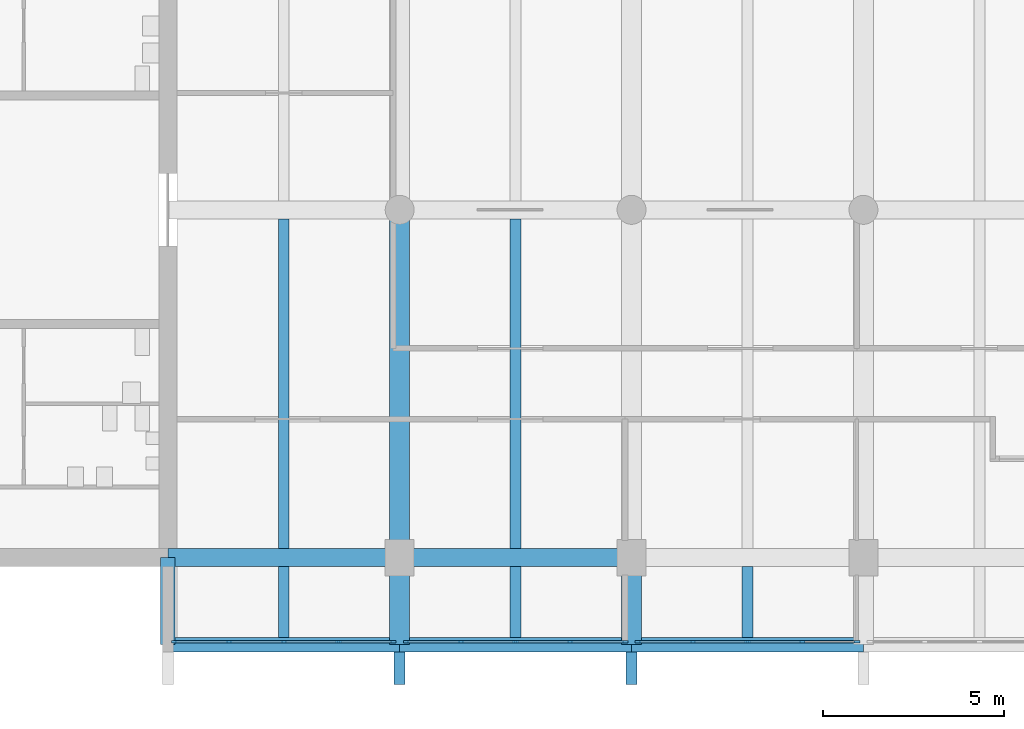
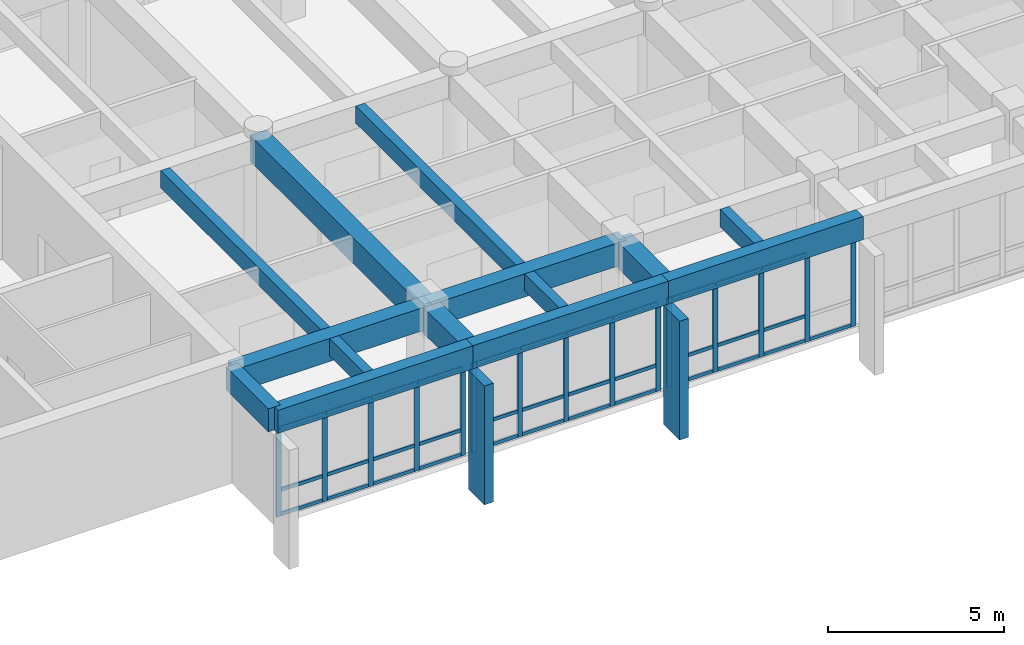
# One storey, part 2 of 15: 51 members, 14 beams, 3 elements without a shape of their own.
"""IFC4 building model written with IfcOpenShell, lengths in metres."""

from ifc_helpers import new_model, si_unit, direction, frame, origin, origin_2d, place, context, subcontext, project, spatial, rectangle, extrude, material, layer, layer_set, material_profile, profile_set, type_object, element, aggregate, save


model = new_model("IFC4")

# Units and contexts
model_context = context("Model", 3, precision=1e-05, world=origin(), true_north=direction((0.0, 1.0)))
body_context = subcontext(model_context, "Body", "Model", "MODEL_VIEW")
ifc_project = project(units=[si_unit("LENGTHUNIT", "METRE"), si_unit("AREAUNIT", "SQUARE_METRE"), si_unit("VOLUMEUNIT", "CUBIC_METRE"), si_unit("PLANEANGLEUNIT", "RADIAN"), si_unit("MASSUNIT", "GRAM", prefix="KILO")], contexts=[model_context])

# Site, building, storey
site_placement = place(None, origin())
site = spatial("IfcSite", under=ifc_project, at=site_placement, CompositionType="ELEMENT")
building_placement = place(site_placement, origin())
building = spatial("IfcBuilding", under=site, at=building_placement, Name="Fogon Plaza Fire Station and Headquarters Tower", CompositionType="ELEMENT")
storey_placement = place(building_placement, frame((0.0, 0.0, 60.0)))
storey = spatial("IfcBuildingStorey", under=building, at=storey_placement, Name="L15", CompositionType="ELEMENT", Elevation=60.0)

# Beams
ifc_material_1 = material(Name="Concrete C40", Category="concrete")
ifc_material_profile_1 = material_profile(ifc_material_1, rectangle(XDim=0.39990234375, YDim=0.800048828125, at=origin_2d()), Name="RC 400x800")
ifc_profile_set_1 = profile_set([ifc_material_profile_1], Name="Concrete C40")
beam_type_1 = type_object("IfcBeamType", Name="BEAM RC 400x800", PredefinedType="BEAM", material=ifc_profile_set_1)
for number, where, z_axis, x_axis, name in (
    (1, (25.60009765625, 31.199951171875, 3.5), (1.0, 0.0, 0.0), (0.0, 1.0, 0.0), "beam-L15-039"),
    (2, (32.0, 31.199951171875, 3.5), (1.0, 0.0, 0.0), (0.0, 1.0, 0.0), "beam-L15-040"),
):
    element("IfcBeam", number, at=place(storey_placement, frame(where, z_axis=z_axis, x_axis=x_axis)), inside=storey, type_object=beam_type_1, Name=name, PredefinedType="BEAM", context=body_context, shape_type="SweptSolid", body=[
        extrude(rectangle(XDim=0.39990234375, YDim=0.800048828125, at=origin_2d()), origin(), (0.0, 0.0, 1.0), 6.39990234375),
    ])
beam_1_placement = place(storey_placement, frame((38.39990234375, 31.199951171875, 3.5), z_axis=(1.0, 0.0, 0.0), x_axis=(0.0, 1.0, 0.0)))
element("IfcBeam", 3, at=beam_1_placement, inside=storey, type_object=beam_type_1, Name="beam-L15-041", PredefinedType="BEAM", context=body_context, shape_type="SweptSolid", body=[
    extrude(rectangle(XDim=0.39990234375, YDim=0.800048828125, at=origin_2d()), origin(), (0.0, 0.0, 1.0), 6.400146484375),
])
ifc_material_2 = material(Name="Concrete C40", Category="concrete")
ifc_material_profile_2 = material_profile(ifc_material_2, rectangle(XDim=0.39990234375, YDim=0.800048828125, at=origin_2d()), Name="RC 400x800")
ifc_profile_set_2 = profile_set([ifc_material_profile_2], Name="Concrete C40")
beam_type_2 = type_object("IfcBeamType", Name="BEAM RC 400x800 SPAN 0.0 TO 3.0 M", PredefinedType="BEAM", material=ifc_profile_set_2)
beam_2_placement = place(storey_placement, frame((25.60009765625, 31.199951171875, 3.5), z_axis=(0.0, 1.0, 0.0), x_axis=(-1.0, 0.0, 0.0)))
element("IfcBeam", 4, at=beam_2_placement, inside=storey, type_object=beam_type_2, Name="beam-L15-051", PredefinedType="BEAM", context=body_context, shape_type="SweptSolid", body=[
    extrude(rectangle(XDim=0.39990234375, YDim=0.800048828125, at=origin_2d()), origin(), (0.0, 0.0, 1.0), 2.400146484375),
])
ifc_material_3 = material(Name="Concrete C40", Category="concrete")
ifc_material_profile_3 = material_profile(ifc_material_3, rectangle(XDim=0.5, YDim=0.800048828125, at=origin_2d()), Name="RC 500x800")
ifc_profile_set_3 = profile_set([ifc_material_profile_3], Name="Concrete C40")
beam_type_3 = type_object("IfcBeamType", Name="BEAM RC 500x800 SPAN 4.8 TO 7.7 M", PredefinedType="BEAM", material=ifc_profile_set_3)
for number, where, z_axis, x_axis, name in (
    (5, (25.60009765625, 33.60009765625, 3.5), (1.0, 0.0, 0.0), (0.0, 1.0, 0.0), "beam-L15-021"),
    (6, (32.0, 33.60009765625, 3.5), (1.0, 0.0, 0.0), (0.0, 1.0, 0.0), "beam-L15-022"),
):
    element("IfcBeam", number, at=place(storey_placement, frame(where, z_axis=z_axis, x_axis=x_axis)), inside=storey, type_object=beam_type_3, Name=name, PredefinedType="BEAM", context=body_context, shape_type="SweptSolid", body=[
        extrude(rectangle(XDim=0.5, YDim=0.800048828125, at=origin_2d()), origin(), (0.0, 0.0, 1.0), 6.39990234375),
    ])
ifc_material_4 = material(Name="Concrete C40", Category="concrete")
ifc_material_profile_4 = material_profile(ifc_material_4, rectangle(XDim=0.550048828125, YDim=0.89990234375, at=origin_2d()), Name="RC 550x900")
ifc_profile_set_4 = profile_set([ifc_material_profile_4], Name="Concrete C40")
beam_type_4 = type_object("IfcBeamType", Name="BEAM RC 550x900", PredefinedType="BEAM", material=ifc_profile_set_4)
beam_3_placement = place(storey_placement, frame((32.0, 33.60009765625, 3.449951171875), z_axis=(0.0, 1.0, 0.0), x_axis=(-1.0, 0.0, 0.0)))
element("IfcBeam", 7, at=beam_3_placement, inside=storey, type_object=beam_type_4, Name="beam-L15-002", PredefinedType="BEAM", context=body_context, shape_type="SweptSolid", body=[
    extrude(rectangle(XDim=0.550048828125, YDim=0.89990234375, at=origin_2d()), origin(), (0.0, 0.0, 1.0), 9.599853515625),
])
ifc_material_5 = material(Name="Concrete C40", Category="concrete")
ifc_material_profile_5 = material_profile(ifc_material_5, rectangle(XDim=0.550048828125, YDim=0.89990234375, at=origin_2d()), Name="RC 550x900")
ifc_profile_set_5 = profile_set([ifc_material_profile_5], Name="Concrete C40")
beam_type_5 = type_object("IfcBeamType", Name="BEAM RC 550x900 SPAN 0.0 TO 3.0 M", PredefinedType="BEAM", material=ifc_profile_set_5)
for number, where, z_axis, x_axis, name in (
    (8, (32.0, 31.199951171875, 3.449951171875), (0.0, 1.0, 0.0), (-1.0, 0.0, 0.0), "beam-L15-001"),
    (9, (38.39990234375, 31.199951171875, 3.449951171875), (0.0, 1.0, 0.0), (-1.0, 0.0, 0.0), "beam-L15-005"),
):
    element("IfcBeam", number, at=place(storey_placement, frame(where, z_axis=z_axis, x_axis=x_axis)), inside=storey, type_object=beam_type_5, Name=name, PredefinedType="BEAM", context=body_context, shape_type="SweptSolid", body=[
        extrude(rectangle(XDim=0.550048828125, YDim=0.89990234375, at=origin_2d()), origin(), (0.0, 0.0, 1.0), 2.400146484375),
    ])

# Curtain wall, members
ifc_material_6 = material(Name="Aluminium and glass", Category="aluminium")
ifc_layer = layer(ifc_material_6, 0.14990234375)
ifc_layer_set = layer_set([ifc_layer], Name="Aluminium and glass")
curtain_wall_type = type_object("IfcCurtainWallType", Name="Unitised Curtain Wall Run 6100x3100", PredefinedType="NOTDEFINED", material=ifc_layer_set)
curtain_wall_1_placement = place(storey_placement, origin())
curtain_wall_1 = element("IfcCurtainWall", 10, at=curtain_wall_1_placement, inside=storey, type_object=curtain_wall_type, Name="CW-6100x3100 S1 L15", PredefinedType="NOTDEFINED")
ifc_material_7 = material(Name="Aluminium", Category="aluminium")
ifc_material_profile_6 = material_profile(ifc_material_7, rectangle(XDim=0.06005859375, YDim=0.159912109375, at=origin_2d()), Name="Curtain Wall Mullion 60x160")
ifc_profile_set_6 = profile_set([ifc_material_profile_6], Name="Aluminium")
member_type_1 = type_object("IfcMemberType", Name="Curtain Wall Mullion 60x160", PredefinedType="MULLION", material=ifc_profile_set_6)
member_1_placement = place(storey_placement, frame((25.780029296875, 31.280029296875, 0.0), z_axis=(0.0, 0.0, 1.0), x_axis=(0.0, 1.0, 0.0)))
member_1 = element("IfcMember", 11, at=member_1_placement, type_object=member_type_1, Name="CW-6100x3100 mullion 1", PredefinedType="MULLION", context=body_context, shape_type="SweptSolid", body=[
    extrude(rectangle(XDim=0.06005859375, YDim=0.159912109375, at=origin_2d()), origin(), (0.0, 0.0, 1.0), 3.10009765625),
])
member_2_placement = place(storey_placement, frame((27.2900390625, 31.280029296875, 0.0), z_axis=(0.0, 0.0, 1.0), x_axis=(0.0, 1.0, 0.0)))
member_2 = element("IfcMember", 12, at=member_2_placement, type_object=member_type_1, Name="CW-6100x3100 mullion 2", PredefinedType="MULLION", context=body_context, shape_type="SweptSolid", body=[
    extrude(rectangle(XDim=0.06005859375, YDim=0.159912109375, at=origin_2d()), origin(), (0.0, 0.0, 1.0), 3.10009765625),
])
member_3_placement = place(storey_placement, frame((28.800048828125, 31.280029296875, 0.0), z_axis=(0.0, 0.0, 1.0), x_axis=(0.0, 1.0, 0.0)))
member_3 = element("IfcMember", 13, at=member_3_placement, type_object=member_type_1, Name="CW-6100x3100 mullion 3", PredefinedType="MULLION", context=body_context, shape_type="SweptSolid", body=[
    extrude(rectangle(XDim=0.06005859375, YDim=0.159912109375, at=origin_2d()), origin(), (0.0, 0.0, 1.0), 3.10009765625),
])
member_4_placement = place(storey_placement, frame((30.31005859375, 31.280029296875, 0.0), z_axis=(0.0, 0.0, 1.0), x_axis=(0.0, 1.0, 0.0)))
member_4 = element("IfcMember", 14, at=member_4_placement, type_object=member_type_1, Name="CW-6100x3100 mullion 4", PredefinedType="MULLION", context=body_context, shape_type="SweptSolid", body=[
    extrude(rectangle(XDim=0.06005859375, YDim=0.159912109375, at=origin_2d()), origin(), (0.0, 0.0, 1.0), 3.10009765625),
])
member_5_placement = place(storey_placement, frame((31.820068359375, 31.280029296875, 0.0), z_axis=(0.0, 0.0, 1.0), x_axis=(0.0, 1.0, 0.0)))
member_5 = element("IfcMember", 15, at=member_5_placement, type_object=member_type_1, Name="CW-6100x3100 mullion 5", PredefinedType="MULLION", context=body_context, shape_type="SweptSolid", body=[
    extrude(rectangle(XDim=0.06005859375, YDim=0.159912109375, at=origin_2d()), origin(), (0.0, 0.0, 1.0), 3.10009765625),
])

curtain_wall_2_placement = place(storey_placement, origin())
curtain_wall_2 = element("IfcCurtainWall", 16, at=curtain_wall_2_placement, inside=storey, type_object=curtain_wall_type, Name="CW-6100x3100 S2 L15", PredefinedType="NOTDEFINED")
member_6_placement = place(storey_placement, frame((32.179931640625, 31.280029296875, 0.0), z_axis=(0.0, 0.0, 1.0), x_axis=(0.0, 1.0, 0.0)))
member_6 = element("IfcMember", 17, at=member_6_placement, type_object=member_type_1, Name="CW-6100x3100 mullion 1", PredefinedType="MULLION", context=body_context, shape_type="SweptSolid", body=[
    extrude(rectangle(XDim=0.06005859375, YDim=0.159912109375, at=origin_2d()), origin(), (0.0, 0.0, 1.0), 3.10009765625),
])
member_7_placement = place(storey_placement, frame((33.68994140625, 31.280029296875, 0.0), z_axis=(0.0, 0.0, 1.0), x_axis=(0.0, 1.0, 0.0)))
member_7 = element("IfcMember", 18, at=member_7_placement, type_object=member_type_1, Name="CW-6100x3100 mullion 2", PredefinedType="MULLION", context=body_context, shape_type="SweptSolid", body=[
    extrude(rectangle(XDim=0.06005859375, YDim=0.159912109375, at=origin_2d()), origin(), (0.0, 0.0, 1.0), 3.10009765625),
])
member_8_placement = place(storey_placement, frame((35.199951171875, 31.280029296875, 0.0), z_axis=(0.0, 0.0, 1.0), x_axis=(0.0, 1.0, 0.0)))
member_8 = element("IfcMember", 19, at=member_8_placement, type_object=member_type_1, Name="CW-6100x3100 mullion 3", PredefinedType="MULLION", context=body_context, shape_type="SweptSolid", body=[
    extrude(rectangle(XDim=0.06005859375, YDim=0.159912109375, at=origin_2d()), origin(), (0.0, 0.0, 1.0), 3.10009765625),
])
member_9_placement = place(storey_placement, frame((36.7099609375, 31.280029296875, 0.0), z_axis=(0.0, 0.0, 1.0), x_axis=(0.0, 1.0, 0.0)))
member_9 = element("IfcMember", 20, at=member_9_placement, type_object=member_type_1, Name="CW-6100x3100 mullion 4", PredefinedType="MULLION", context=body_context, shape_type="SweptSolid", body=[
    extrude(rectangle(XDim=0.06005859375, YDim=0.159912109375, at=origin_2d()), origin(), (0.0, 0.0, 1.0), 3.10009765625),
])
member_10_placement = place(storey_placement, frame((38.219970703125, 31.280029296875, 0.0), z_axis=(0.0, 0.0, 1.0), x_axis=(0.0, 1.0, 0.0)))
member_10 = element("IfcMember", 21, at=member_10_placement, type_object=member_type_1, Name="CW-6100x3100 mullion 5", PredefinedType="MULLION", context=body_context, shape_type="SweptSolid", body=[
    extrude(rectangle(XDim=0.06005859375, YDim=0.159912109375, at=origin_2d()), origin(), (0.0, 0.0, 1.0), 3.10009765625),
])

curtain_wall_3_placement = place(storey_placement, origin())
curtain_wall_3 = element("IfcCurtainWall", 22, at=curtain_wall_3_placement, inside=storey, type_object=curtain_wall_type, Name="CW-6100x3100 S3 L15", PredefinedType="NOTDEFINED")
member_11_placement = place(storey_placement, frame((38.580078125, 31.280029296875, 0.0), z_axis=(0.0, 0.0, 1.0), x_axis=(0.0, 1.0, 0.0)))
member_11 = element("IfcMember", 23, at=member_11_placement, type_object=member_type_1, Name="CW-6100x3100 mullion 1", PredefinedType="MULLION", context=body_context, shape_type="SweptSolid", body=[
    extrude(rectangle(XDim=0.06005859375, YDim=0.159912109375, at=origin_2d()), origin(), (0.0, 0.0, 1.0), 3.10009765625),
])
member_12_placement = place(storey_placement, frame((40.090087890625, 31.280029296875, 0.0), z_axis=(0.0, 0.0, 1.0), x_axis=(0.0, 1.0, 0.0)))
member_12 = element("IfcMember", 24, at=member_12_placement, type_object=member_type_1, Name="CW-6100x3100 mullion 2", PredefinedType="MULLION", context=body_context, shape_type="SweptSolid", body=[
    extrude(rectangle(XDim=0.06005859375, YDim=0.159912109375, at=origin_2d()), origin(), (0.0, 0.0, 1.0), 3.10009765625),
])
member_13_placement = place(storey_placement, frame((41.60009765625, 31.280029296875, 0.0), z_axis=(0.0, 0.0, 1.0), x_axis=(0.0, 1.0, 0.0)))
member_13 = element("IfcMember", 25, at=member_13_placement, type_object=member_type_1, Name="CW-6100x3100 mullion 3", PredefinedType="MULLION", context=body_context, shape_type="SweptSolid", body=[
    extrude(rectangle(XDim=0.06005859375, YDim=0.159912109375, at=origin_2d()), origin(), (0.0, 0.0, 1.0), 3.10009765625),
])
member_14_placement = place(storey_placement, frame((43.110107421875, 31.280029296875, 0.0), z_axis=(0.0, 0.0, 1.0), x_axis=(0.0, 1.0, 0.0)))
member_14 = element("IfcMember", 26, at=member_14_placement, type_object=member_type_1, Name="CW-6100x3100 mullion 4", PredefinedType="MULLION", context=body_context, shape_type="SweptSolid", body=[
    extrude(rectangle(XDim=0.06005859375, YDim=0.159912109375, at=origin_2d()), origin(), (0.0, 0.0, 1.0), 3.10009765625),
])
member_15_placement = place(storey_placement, frame((44.6201171875, 31.280029296875, 0.0), z_axis=(0.0, 0.0, 1.0), x_axis=(0.0, 1.0, 0.0)))
member_15 = element("IfcMember", 27, at=member_15_placement, type_object=member_type_1, Name="CW-6100x3100 mullion 5", PredefinedType="MULLION", context=body_context, shape_type="SweptSolid", body=[
    extrude(rectangle(XDim=0.06005859375, YDim=0.159912109375, at=origin_2d()), origin(), (0.0, 0.0, 1.0), 3.10009765625),
])

# Member
ifc_material_8 = material(Name="Aluminium", Category="aluminium")
ifc_material_profile_7 = material_profile(ifc_material_8, rectangle(XDim=0.06005859375, YDim=0.1201171875, at=origin_2d()), Name="Curtain Wall Transom 60x120")
ifc_profile_set_7 = profile_set([ifc_material_profile_7], Name="Aluminium")
member_type_2 = type_object("IfcMemberType", Name="Curtain Wall Transom 60x120", PredefinedType="USERDEFINED", material=ifc_profile_set_7)
member_16_placement = place(storey_placement, frame((25.81005859375, 31.280029296875, 0.06005859375), z_axis=(1.0, 0.0, 0.0), x_axis=(0.0, 1.0, 0.0)))
member_16 = element("IfcMember", 28, at=member_16_placement, type_object=member_type_2, Name="CW-6100x3100 transom 1.1", ObjectType="TRANSOM", PredefinedType="USERDEFINED", context=body_context, shape_type="SweptSolid", body=[
    extrude(rectangle(XDim=0.06005859375, YDim=0.1201171875, at=origin_2d()), origin(), (0.0, 0.0, 1.0), 1.449951171875),
])

member_17_placement = place(storey_placement, frame((25.81005859375, 31.280029296875, 0.89990234375), z_axis=(1.0, 0.0, 0.0), x_axis=(0.0, 1.0, 0.0)))
member_17 = element("IfcMember", 29, at=member_17_placement, type_object=member_type_2, Name="CW-6100x3100 transom 1.2", ObjectType="TRANSOM", PredefinedType="USERDEFINED", context=body_context, shape_type="SweptSolid", body=[
    extrude(rectangle(XDim=0.06005859375, YDim=0.1201171875, at=origin_2d()), origin(), (0.0, 0.0, 1.0), 1.449951171875),
])

member_18_placement = place(storey_placement, frame((25.81005859375, 31.280029296875, 3.0400390625), z_axis=(1.0, 0.0, 0.0), x_axis=(0.0, 1.0, 0.0)))
member_18 = element("IfcMember", 30, at=member_18_placement, type_object=member_type_2, Name="CW-6100x3100 transom 1.3", ObjectType="TRANSOM", PredefinedType="USERDEFINED", context=body_context, shape_type="SweptSolid", body=[
    extrude(rectangle(XDim=0.06005859375, YDim=0.1201171875, at=origin_2d()), origin(), (0.0, 0.0, 1.0), 1.449951171875),
])

member_19_placement = place(storey_placement, frame((27.320068359375, 31.280029296875, 0.06005859375), z_axis=(1.0, 0.0, 0.0), x_axis=(0.0, 1.0, 0.0)))
member_19 = element("IfcMember", 31, at=member_19_placement, type_object=member_type_2, Name="CW-6100x3100 transom 2.1", ObjectType="TRANSOM", PredefinedType="USERDEFINED", context=body_context, shape_type="SweptSolid", body=[
    extrude(rectangle(XDim=0.06005859375, YDim=0.1201171875, at=origin_2d()), origin(), (0.0, 0.0, 1.0), 1.449951171875),
])

member_20_placement = place(storey_placement, frame((27.320068359375, 31.280029296875, 0.89990234375), z_axis=(1.0, 0.0, 0.0), x_axis=(0.0, 1.0, 0.0)))
member_20 = element("IfcMember", 32, at=member_20_placement, type_object=member_type_2, Name="CW-6100x3100 transom 2.2", ObjectType="TRANSOM", PredefinedType="USERDEFINED", context=body_context, shape_type="SweptSolid", body=[
    extrude(rectangle(XDim=0.06005859375, YDim=0.1201171875, at=origin_2d()), origin(), (0.0, 0.0, 1.0), 1.449951171875),
])

member_21_placement = place(storey_placement, frame((27.320068359375, 31.280029296875, 3.0400390625), z_axis=(1.0, 0.0, 0.0), x_axis=(0.0, 1.0, 0.0)))
member_21 = element("IfcMember", 33, at=member_21_placement, type_object=member_type_2, Name="CW-6100x3100 transom 2.3", ObjectType="TRANSOM", PredefinedType="USERDEFINED", context=body_context, shape_type="SweptSolid", body=[
    extrude(rectangle(XDim=0.06005859375, YDim=0.1201171875, at=origin_2d()), origin(), (0.0, 0.0, 1.0), 1.449951171875),
])

member_22_placement = place(storey_placement, frame((28.830078125, 31.280029296875, 0.06005859375), z_axis=(1.0, 0.0, 0.0), x_axis=(0.0, 1.0, 0.0)))
member_22 = element("IfcMember", 34, at=member_22_placement, type_object=member_type_2, Name="CW-6100x3100 transom 3.1", ObjectType="TRANSOM", PredefinedType="USERDEFINED", context=body_context, shape_type="SweptSolid", body=[
    extrude(rectangle(XDim=0.06005859375, YDim=0.1201171875, at=origin_2d()), origin(), (0.0, 0.0, 1.0), 1.449951171875),
])

member_23_placement = place(storey_placement, frame((28.830078125, 31.280029296875, 0.89990234375), z_axis=(1.0, 0.0, 0.0), x_axis=(0.0, 1.0, 0.0)))
member_23 = element("IfcMember", 35, at=member_23_placement, type_object=member_type_2, Name="CW-6100x3100 transom 3.2", ObjectType="TRANSOM", PredefinedType="USERDEFINED", context=body_context, shape_type="SweptSolid", body=[
    extrude(rectangle(XDim=0.06005859375, YDim=0.1201171875, at=origin_2d()), origin(), (0.0, 0.0, 1.0), 1.449951171875),
])

member_24_placement = place(storey_placement, frame((28.830078125, 31.280029296875, 3.0400390625), z_axis=(1.0, 0.0, 0.0), x_axis=(0.0, 1.0, 0.0)))
member_24 = element("IfcMember", 36, at=member_24_placement, type_object=member_type_2, Name="CW-6100x3100 transom 3.3", ObjectType="TRANSOM", PredefinedType="USERDEFINED", context=body_context, shape_type="SweptSolid", body=[
    extrude(rectangle(XDim=0.06005859375, YDim=0.1201171875, at=origin_2d()), origin(), (0.0, 0.0, 1.0), 1.449951171875),
])

member_25_placement = place(storey_placement, frame((30.340087890625, 31.280029296875, 0.06005859375), z_axis=(1.0, 0.0, 0.0), x_axis=(0.0, 1.0, 0.0)))
member_25 = element("IfcMember", 37, at=member_25_placement, type_object=member_type_2, Name="CW-6100x3100 transom 4.1", ObjectType="TRANSOM", PredefinedType="USERDEFINED", context=body_context, shape_type="SweptSolid", body=[
    extrude(rectangle(XDim=0.06005859375, YDim=0.1201171875, at=origin_2d()), origin(), (0.0, 0.0, 1.0), 1.449951171875),
])

member_26_placement = place(storey_placement, frame((30.340087890625, 31.280029296875, 0.89990234375), z_axis=(1.0, 0.0, 0.0), x_axis=(0.0, 1.0, 0.0)))
member_26 = element("IfcMember", 38, at=member_26_placement, type_object=member_type_2, Name="CW-6100x3100 transom 4.2", ObjectType="TRANSOM", PredefinedType="USERDEFINED", context=body_context, shape_type="SweptSolid", body=[
    extrude(rectangle(XDim=0.06005859375, YDim=0.1201171875, at=origin_2d()), origin(), (0.0, 0.0, 1.0), 1.449951171875),
])

member_27_placement = place(storey_placement, frame((30.340087890625, 31.280029296875, 3.0400390625), z_axis=(1.0, 0.0, 0.0), x_axis=(0.0, 1.0, 0.0)))
member_27 = element("IfcMember", 39, at=member_27_placement, type_object=member_type_2, Name="CW-6100x3100 transom 4.3", ObjectType="TRANSOM", PredefinedType="USERDEFINED", context=body_context, shape_type="SweptSolid", body=[
    extrude(rectangle(XDim=0.06005859375, YDim=0.1201171875, at=origin_2d()), origin(), (0.0, 0.0, 1.0), 1.449951171875),
])

aggregate(curtain_wall_1, [member_1, member_2, member_3, member_4, member_5, member_16, member_17, member_18, member_19, member_20, member_21, member_22, member_23, member_24, member_25, member_26, member_27])

member_28_placement = place(storey_placement, frame((32.2099609375, 31.280029296875, 0.06005859375), z_axis=(1.0, 0.0, 0.0), x_axis=(0.0, 1.0, 0.0)))
member_28 = element("IfcMember", 40, at=member_28_placement, type_object=member_type_2, Name="CW-6100x3100 transom 1.1", ObjectType="TRANSOM", PredefinedType="USERDEFINED", context=body_context, shape_type="SweptSolid", body=[
    extrude(rectangle(XDim=0.06005859375, YDim=0.1201171875, at=origin_2d()), origin(), (0.0, 0.0, 1.0), 1.449951171875),
])

member_29_placement = place(storey_placement, frame((32.2099609375, 31.280029296875, 0.89990234375), z_axis=(1.0, 0.0, 0.0), x_axis=(0.0, 1.0, 0.0)))
member_29 = element("IfcMember", 41, at=member_29_placement, type_object=member_type_2, Name="CW-6100x3100 transom 1.2", ObjectType="TRANSOM", PredefinedType="USERDEFINED", context=body_context, shape_type="SweptSolid", body=[
    extrude(rectangle(XDim=0.06005859375, YDim=0.1201171875, at=origin_2d()), origin(), (0.0, 0.0, 1.0), 1.449951171875),
])

member_30_placement = place(storey_placement, frame((32.2099609375, 31.280029296875, 3.0400390625), z_axis=(1.0, 0.0, 0.0), x_axis=(0.0, 1.0, 0.0)))
member_30 = element("IfcMember", 42, at=member_30_placement, type_object=member_type_2, Name="CW-6100x3100 transom 1.3", ObjectType="TRANSOM", PredefinedType="USERDEFINED", context=body_context, shape_type="SweptSolid", body=[
    extrude(rectangle(XDim=0.06005859375, YDim=0.1201171875, at=origin_2d()), origin(), (0.0, 0.0, 1.0), 1.449951171875),
])

member_31_placement = place(storey_placement, frame((33.719970703125, 31.280029296875, 0.06005859375), z_axis=(1.0, 0.0, 0.0), x_axis=(0.0, 1.0, 0.0)))
member_31 = element("IfcMember", 43, at=member_31_placement, type_object=member_type_2, Name="CW-6100x3100 transom 2.1", ObjectType="TRANSOM", PredefinedType="USERDEFINED", context=body_context, shape_type="SweptSolid", body=[
    extrude(rectangle(XDim=0.06005859375, YDim=0.1201171875, at=origin_2d()), origin(), (0.0, 0.0, 1.0), 1.449951171875),
])

member_32_placement = place(storey_placement, frame((33.719970703125, 31.280029296875, 0.89990234375), z_axis=(1.0, 0.0, 0.0), x_axis=(0.0, 1.0, 0.0)))
member_32 = element("IfcMember", 44, at=member_32_placement, type_object=member_type_2, Name="CW-6100x3100 transom 2.2", ObjectType="TRANSOM", PredefinedType="USERDEFINED", context=body_context, shape_type="SweptSolid", body=[
    extrude(rectangle(XDim=0.06005859375, YDim=0.1201171875, at=origin_2d()), origin(), (0.0, 0.0, 1.0), 1.449951171875),
])

member_33_placement = place(storey_placement, frame((33.719970703125, 31.280029296875, 3.0400390625), z_axis=(1.0, 0.0, 0.0), x_axis=(0.0, 1.0, 0.0)))
member_33 = element("IfcMember", 45, at=member_33_placement, type_object=member_type_2, Name="CW-6100x3100 transom 2.3", ObjectType="TRANSOM", PredefinedType="USERDEFINED", context=body_context, shape_type="SweptSolid", body=[
    extrude(rectangle(XDim=0.06005859375, YDim=0.1201171875, at=origin_2d()), origin(), (0.0, 0.0, 1.0), 1.449951171875),
])

member_34_placement = place(storey_placement, frame((35.22998046875, 31.280029296875, 0.06005859375), z_axis=(1.0, 0.0, 0.0), x_axis=(0.0, 1.0, 0.0)))
member_34 = element("IfcMember", 46, at=member_34_placement, type_object=member_type_2, Name="CW-6100x3100 transom 3.1", ObjectType="TRANSOM", PredefinedType="USERDEFINED", context=body_context, shape_type="SweptSolid", body=[
    extrude(rectangle(XDim=0.06005859375, YDim=0.1201171875, at=origin_2d()), origin(), (0.0, 0.0, 1.0), 1.449951171875),
])

member_35_placement = place(storey_placement, frame((35.22998046875, 31.280029296875, 0.89990234375), z_axis=(1.0, 0.0, 0.0), x_axis=(0.0, 1.0, 0.0)))
member_35 = element("IfcMember", 47, at=member_35_placement, type_object=member_type_2, Name="CW-6100x3100 transom 3.2", ObjectType="TRANSOM", PredefinedType="USERDEFINED", context=body_context, shape_type="SweptSolid", body=[
    extrude(rectangle(XDim=0.06005859375, YDim=0.1201171875, at=origin_2d()), origin(), (0.0, 0.0, 1.0), 1.449951171875),
])

member_36_placement = place(storey_placement, frame((35.22998046875, 31.280029296875, 3.0400390625), z_axis=(1.0, 0.0, 0.0), x_axis=(0.0, 1.0, 0.0)))
member_36 = element("IfcMember", 48, at=member_36_placement, type_object=member_type_2, Name="CW-6100x3100 transom 3.3", ObjectType="TRANSOM", PredefinedType="USERDEFINED", context=body_context, shape_type="SweptSolid", body=[
    extrude(rectangle(XDim=0.06005859375, YDim=0.1201171875, at=origin_2d()), origin(), (0.0, 0.0, 1.0), 1.449951171875),
])

member_37_placement = place(storey_placement, frame((36.739990234375, 31.280029296875, 0.06005859375), z_axis=(1.0, 0.0, 0.0), x_axis=(0.0, 1.0, 0.0)))
member_37 = element("IfcMember", 49, at=member_37_placement, type_object=member_type_2, Name="CW-6100x3100 transom 4.1", ObjectType="TRANSOM", PredefinedType="USERDEFINED", context=body_context, shape_type="SweptSolid", body=[
    extrude(rectangle(XDim=0.06005859375, YDim=0.1201171875, at=origin_2d()), origin(), (0.0, 0.0, 1.0), 1.449951171875),
])

member_38_placement = place(storey_placement, frame((36.739990234375, 31.280029296875, 0.89990234375), z_axis=(1.0, 0.0, 0.0), x_axis=(0.0, 1.0, 0.0)))
member_38 = element("IfcMember", 50, at=member_38_placement, type_object=member_type_2, Name="CW-6100x3100 transom 4.2", ObjectType="TRANSOM", PredefinedType="USERDEFINED", context=body_context, shape_type="SweptSolid", body=[
    extrude(rectangle(XDim=0.06005859375, YDim=0.1201171875, at=origin_2d()), origin(), (0.0, 0.0, 1.0), 1.449951171875),
])

member_39_placement = place(storey_placement, frame((36.739990234375, 31.280029296875, 3.0400390625), z_axis=(1.0, 0.0, 0.0), x_axis=(0.0, 1.0, 0.0)))
member_39 = element("IfcMember", 51, at=member_39_placement, type_object=member_type_2, Name="CW-6100x3100 transom 4.3", ObjectType="TRANSOM", PredefinedType="USERDEFINED", context=body_context, shape_type="SweptSolid", body=[
    extrude(rectangle(XDim=0.06005859375, YDim=0.1201171875, at=origin_2d()), origin(), (0.0, 0.0, 1.0), 1.449951171875),
])

aggregate(curtain_wall_2, [member_6, member_7, member_8, member_9, member_10, member_28, member_29, member_30, member_31, member_32, member_33, member_34, member_35, member_36, member_37, member_38, member_39])

member_40_placement = place(storey_placement, frame((38.610107421875, 31.280029296875, 0.06005859375), z_axis=(1.0, 0.0, 0.0), x_axis=(0.0, 1.0, 0.0)))
member_40 = element("IfcMember", 52, at=member_40_placement, type_object=member_type_2, Name="CW-6100x3100 transom 1.1", ObjectType="TRANSOM", PredefinedType="USERDEFINED", context=body_context, shape_type="SweptSolid", body=[
    extrude(rectangle(XDim=0.06005859375, YDim=0.1201171875, at=origin_2d()), origin(), (0.0, 0.0, 1.0), 1.449951171875),
])

member_41_placement = place(storey_placement, frame((38.610107421875, 31.280029296875, 0.89990234375), z_axis=(1.0, 0.0, 0.0), x_axis=(0.0, 1.0, 0.0)))
member_41 = element("IfcMember", 53, at=member_41_placement, type_object=member_type_2, Name="CW-6100x3100 transom 1.2", ObjectType="TRANSOM", PredefinedType="USERDEFINED", context=body_context, shape_type="SweptSolid", body=[
    extrude(rectangle(XDim=0.06005859375, YDim=0.1201171875, at=origin_2d()), origin(), (0.0, 0.0, 1.0), 1.449951171875),
])

member_42_placement = place(storey_placement, frame((38.610107421875, 31.280029296875, 3.0400390625), z_axis=(1.0, 0.0, 0.0), x_axis=(0.0, 1.0, 0.0)))
member_42 = element("IfcMember", 54, at=member_42_placement, type_object=member_type_2, Name="CW-6100x3100 transom 1.3", ObjectType="TRANSOM", PredefinedType="USERDEFINED", context=body_context, shape_type="SweptSolid", body=[
    extrude(rectangle(XDim=0.06005859375, YDim=0.1201171875, at=origin_2d()), origin(), (0.0, 0.0, 1.0), 1.449951171875),
])

member_43_placement = place(storey_placement, frame((40.1201171875, 31.280029296875, 0.06005859375), z_axis=(1.0, 0.0, 0.0), x_axis=(0.0, 1.0, 0.0)))
member_43 = element("IfcMember", 55, at=member_43_placement, type_object=member_type_2, Name="CW-6100x3100 transom 2.1", ObjectType="TRANSOM", PredefinedType="USERDEFINED", context=body_context, shape_type="SweptSolid", body=[
    extrude(rectangle(XDim=0.06005859375, YDim=0.1201171875, at=origin_2d()), origin(), (0.0, 0.0, 1.0), 1.449951171875),
])

member_44_placement = place(storey_placement, frame((40.1201171875, 31.280029296875, 0.89990234375), z_axis=(1.0, 0.0, 0.0), x_axis=(0.0, 1.0, 0.0)))
member_44 = element("IfcMember", 56, at=member_44_placement, type_object=member_type_2, Name="CW-6100x3100 transom 2.2", ObjectType="TRANSOM", PredefinedType="USERDEFINED", context=body_context, shape_type="SweptSolid", body=[
    extrude(rectangle(XDim=0.06005859375, YDim=0.1201171875, at=origin_2d()), origin(), (0.0, 0.0, 1.0), 1.449951171875),
])

member_45_placement = place(storey_placement, frame((40.1201171875, 31.280029296875, 3.0400390625), z_axis=(1.0, 0.0, 0.0), x_axis=(0.0, 1.0, 0.0)))
member_45 = element("IfcMember", 57, at=member_45_placement, type_object=member_type_2, Name="CW-6100x3100 transom 2.3", ObjectType="TRANSOM", PredefinedType="USERDEFINED", context=body_context, shape_type="SweptSolid", body=[
    extrude(rectangle(XDim=0.06005859375, YDim=0.1201171875, at=origin_2d()), origin(), (0.0, 0.0, 1.0), 1.449951171875),
])

member_46_placement = place(storey_placement, frame((41.6298828125, 31.280029296875, 0.06005859375), z_axis=(1.0, 0.0, 0.0), x_axis=(0.0, 1.0, 0.0)))
member_46 = element("IfcMember", 58, at=member_46_placement, type_object=member_type_2, Name="CW-6100x3100 transom 3.1", ObjectType="TRANSOM", PredefinedType="USERDEFINED", context=body_context, shape_type="SweptSolid", body=[
    extrude(rectangle(XDim=0.06005859375, YDim=0.1201171875, at=origin_2d()), origin(), (0.0, 0.0, 1.0), 1.4501953125),
])

member_47_placement = place(storey_placement, frame((41.6298828125, 31.280029296875, 0.89990234375), z_axis=(1.0, 0.0, 0.0), x_axis=(0.0, 1.0, 0.0)))
member_47 = element("IfcMember", 59, at=member_47_placement, type_object=member_type_2, Name="CW-6100x3100 transom 3.2", ObjectType="TRANSOM", PredefinedType="USERDEFINED", context=body_context, shape_type="SweptSolid", body=[
    extrude(rectangle(XDim=0.06005859375, YDim=0.1201171875, at=origin_2d()), origin(), (0.0, 0.0, 1.0), 1.4501953125),
])

member_48_placement = place(storey_placement, frame((41.6298828125, 31.280029296875, 3.0400390625), z_axis=(1.0, 0.0, 0.0), x_axis=(0.0, 1.0, 0.0)))
member_48 = element("IfcMember", 60, at=member_48_placement, type_object=member_type_2, Name="CW-6100x3100 transom 3.3", ObjectType="TRANSOM", PredefinedType="USERDEFINED", context=body_context, shape_type="SweptSolid", body=[
    extrude(rectangle(XDim=0.06005859375, YDim=0.1201171875, at=origin_2d()), origin(), (0.0, 0.0, 1.0), 1.4501953125),
])

member_49_placement = place(storey_placement, frame((43.139892578125, 31.280029296875, 0.06005859375), z_axis=(1.0, 0.0, 0.0), x_axis=(0.0, 1.0, 0.0)))
member_49 = element("IfcMember", 61, at=member_49_placement, type_object=member_type_2, Name="CW-6100x3100 transom 4.1", ObjectType="TRANSOM", PredefinedType="USERDEFINED", context=body_context, shape_type="SweptSolid", body=[
    extrude(rectangle(XDim=0.06005859375, YDim=0.1201171875, at=origin_2d()), origin(), (0.0, 0.0, 1.0), 1.4501953125),
])

aggregate(curtain_wall_3, [member_11, member_12, member_13, member_14, member_15, member_40, member_41, member_42, member_43, member_44, member_45, member_46, member_47, member_48, member_49])

# Beams
ifc_material_9 = material(Name="Concrete C40", Category="concrete")
ifc_material_profile_8 = material_profile(ifc_material_9, rectangle(XDim=0.300048828125, YDim=0.60009765625, at=origin_2d()), Name="RC 300x600")
ifc_profile_set_8 = profile_set([ifc_material_profile_8], Name="Concrete C40")
beam_type_6 = type_object("IfcBeamType", Name="JOIST RC 300x600", PredefinedType="JOIST", material=ifc_profile_set_8)
for number, where, z_axis, x_axis, name in (
    (62, (28.800048828125, 33.85009765625, 3.60009765625), (0.0, 1.0, 0.0), (-1.0, 0.0, 0.0), "beam-L15-056"),
    (63, (35.199951171875, 33.85009765625, 3.60009765625), (0.0, 1.0, 0.0), (-1.0, 0.0, 0.0), "beam-L15-060"),
):
    element("IfcBeam", number, at=place(storey_placement, frame(where, z_axis=z_axis, x_axis=x_axis)), inside=storey, type_object=beam_type_6, Name=name, PredefinedType="JOIST", context=body_context, shape_type="SweptSolid", body=[
        extrude(rectangle(XDim=0.300048828125, YDim=0.60009765625, at=origin_2d()), origin(), (0.0, 0.0, 1.0), 9.099853515625),
    ])
ifc_material_10 = material(Name="Concrete C40", Category="concrete")
ifc_material_profile_9 = material_profile(ifc_material_10, rectangle(XDim=0.300048828125, YDim=0.60009765625, at=origin_2d()), Name="RC 300x600")
ifc_profile_set_9 = profile_set([ifc_material_profile_9], Name="Concrete C40")
beam_type_7 = type_object("IfcBeamType", Name="JOIST RC 300x600 SPAN 0.0 TO 3.0 M", PredefinedType="JOIST", material=ifc_profile_set_9)
for number, where, z_axis, x_axis, name in (
    (64, (28.800048828125, 31.39990234375, 3.60009765625), (0.0, 1.0, 0.0), (-1.0, 0.0, 0.0), "beam-L15-055"),
    (65, (35.199951171875, 31.39990234375, 3.60009765625), (0.0, 1.0, 0.0), (-1.0, 0.0, 0.0), "beam-L15-059"),
    (66, (41.60009765625, 31.39990234375, 3.60009765625), (0.0, 1.0, 0.0), (-1.0, 0.0, 0.0), "beam-L15-063"),
):
    element("IfcBeam", number, at=place(storey_placement, frame(where, z_axis=z_axis, x_axis=x_axis)), inside=storey, type_object=beam_type_7, Name=name, PredefinedType="JOIST", context=body_context, shape_type="SweptSolid", body=[
        extrude(rectangle(XDim=0.300048828125, YDim=0.60009765625, at=origin_2d()), origin(), (0.0, 0.0, 1.0), 1.9501953125),
    ])

# Members
ifc_material_11 = material(Name="Concrete C40 precast", Category="concrete")
ifc_material_profile_10 = material_profile(ifc_material_11, rectangle(XDim=0.300048828125, YDim=0.89990234375, at=origin_2d()), Name="Precast Concrete Post 300x900")
ifc_profile_set_10 = profile_set([ifc_material_profile_10], Name="Concrete C40 precast")
member_type_3 = type_object("IfcMemberType", Name="Precast Concrete Post 300x900", PredefinedType="POST", material=ifc_profile_set_10)
for number, where, z_axis, x_axis, name in (
    (67, (32.0, 30.550048828125, -1.02001953125), (0.0, 0.0, 1.0), (1.0, 0.0, 0.0), "Precast Post S L15"),
    (68, (38.39990234375, 30.550048828125, -1.02001953125), (0.0, 0.0, 1.0), (1.0, 0.0, 0.0), "Precast Post S L15"),
):
    element("IfcMember", number, at=place(storey_placement, frame(where, z_axis=z_axis, x_axis=x_axis)), inside=storey, type_object=member_type_3, Name=name, PredefinedType="POST", context=body_context, shape_type="SweptSolid", body=[
        extrude(rectangle(XDim=0.300048828125, YDim=0.89990234375, at=origin_2d()), origin(), (0.0, 0.0, 1.0), 4.1201171875),
    ])

save(model, "model.ifc")
